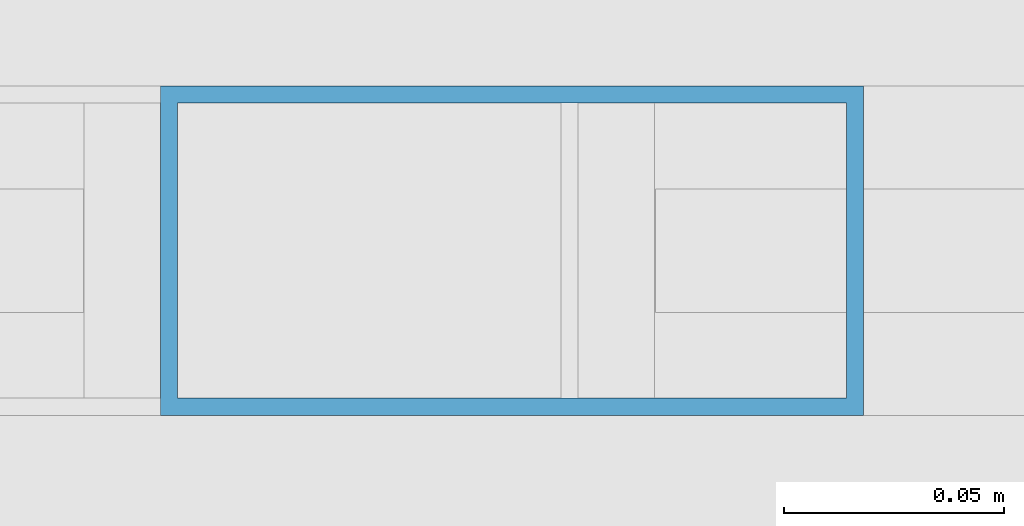
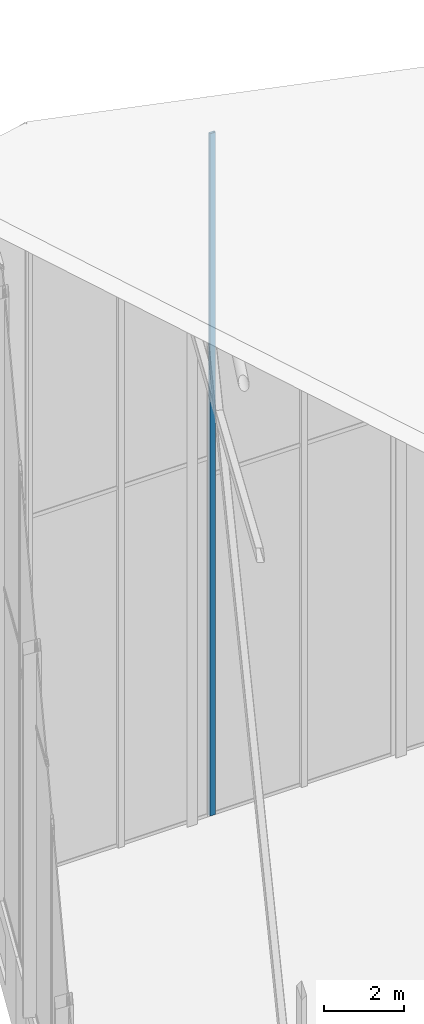
# One storey, part 48 of 74: 1 member, 1 element without a shape of its own.
"""IFC4 building model written with IfcOpenShell, lengths in metres."""

from ifc_helpers import new_model, si_unit, direction, frame, origin, origin_2d, place, context, subcontext, project, spatial, hollow_rectangle, extrude, material, layer, layer_set, material_profile, profile_set, type_object, element, aggregate, save


model = new_model("IFC4")

# Units and contexts
model_context = context("Model", 3, precision=1e-05, world=origin(), true_north=direction((0.0, 1.0)))
body_context = subcontext(model_context, "Body", "Model", "MODEL_VIEW")
ifc_project = project(units=[si_unit("LENGTHUNIT", "METRE"), si_unit("AREAUNIT", "SQUARE_METRE"), si_unit("VOLUMEUNIT", "CUBIC_METRE"), si_unit("PLANEANGLEUNIT", "RADIAN"), si_unit("MASSUNIT", "GRAM", prefix="KILO")], contexts=[model_context])

# Site, building, storey
site_placement = place(None, origin())
site = spatial("IfcSite", under=ifc_project, at=site_placement, CompositionType="ELEMENT")
building_placement = place(site_placement, origin())
building = spatial("IfcBuilding", under=site, at=building_placement, Name="Keshet Zoharim Tower", CompositionType="ELEMENT")
storey_placement = place(building_placement, frame((0.0, 0.0, 320.0)))
storey = spatial("IfcBuildingStorey", under=building, at=storey_placement, Name="RF", CompositionType="ELEMENT", Elevation=320.0)

# Curtain wall, member
ifc_material = material(Name="Aluminium 6063-T6", Category="aluminium")
ifc_layer = layer(ifc_material, 0.260009765625)
ifc_layer_set = layer_set([ifc_layer], Name="Aluminium 6063-T6")
curtain_wall_type = type_object("IfcCurtainWallType", Name="CW-SYS-06", PredefinedType="NOTDEFINED", material=ifc_layer_set)
curtain_wall_placement = place(storey_placement, origin())
curtain_wall = element("IfcCurtainWall", 1, at=curtain_wall_placement, inside=storey, type_object=curtain_wall_type, Name="Slanted Crown Curtain Wall 12", PredefinedType="NOTDEFINED")
ifc_material_profile = material_profile(ifc_material, hollow_rectangle(XDim=0.074951171875, YDim=0.159912109375, WallThickness=0.00390625, at=origin_2d()), Name="MUL-75x160")
ifc_profile_set = profile_set([ifc_material_profile], Name="Aluminium 6063-T6")
member_type = type_object("IfcMemberType", Name="CWM-M15", PredefinedType="MULLION", material=ifc_profile_set)
member_placement = place(storey_placement, frame((21.66552734375, 53.89990234375, 0.0), z_axis=(0.0, 0.0, 1.0), x_axis=(0.0, 1.0, 0.0)))
member = element("IfcMember", 2, at=member_placement, type_object=member_type, Name="CW-06 mullion 1", PredefinedType="MULLION", context=body_context, shape_type="SweptSolid", body=[
    extrude(hollow_rectangle(XDim=0.074951171875, YDim=0.159912109375, WallThickness=0.00390625, at=origin_2d()), origin(), (0.0, 0.0, 1.0), 20.718994140625),
])
aggregate(curtain_wall, [member])

save(model, "model.ifc")
